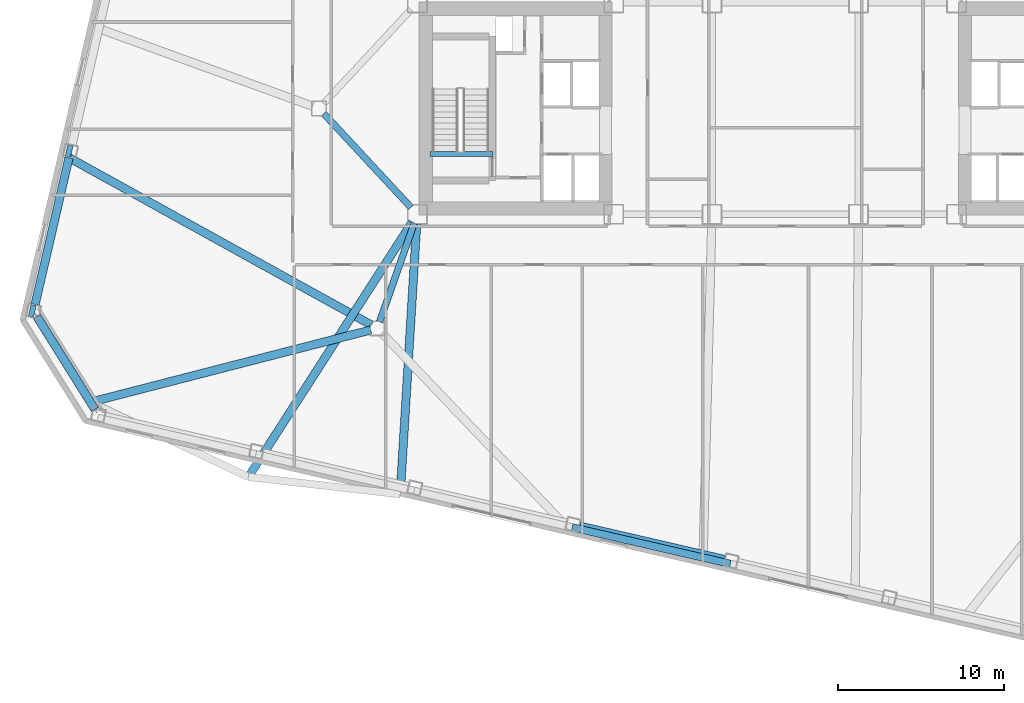
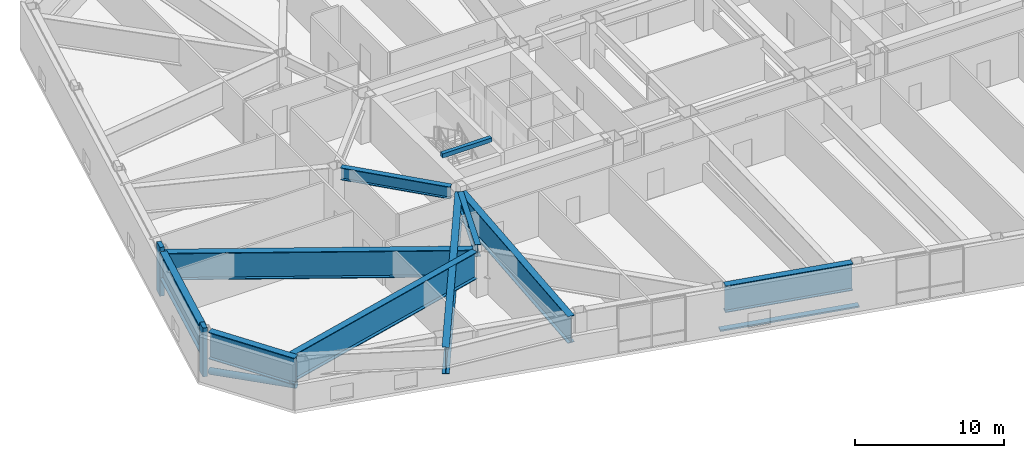
# One storey, part 3 of 19: 10 beams, 4 members.
"""IFC4 building model written with IfcOpenShell, lengths in metres."""

from ifc_helpers import new_model, si_unit, direction, frame, origin, origin_2d, place, context, subcontext, project, spatial, rectangle, hollow_circle, i_section, extrude, material, material_profile, profile_set, type_object, element, save


model = new_model("IFC4")

# Units and contexts
model_context = context("Model", 3, precision=1e-05, world=origin(), true_north=direction((0.0, 1.0)))
body_context = subcontext(model_context, "Body", "Model", "MODEL_VIEW")
ifc_project = project(units=[si_unit("LENGTHUNIT", "METRE"), si_unit("AREAUNIT", "SQUARE_METRE"), si_unit("VOLUMEUNIT", "CUBIC_METRE"), si_unit("PLANEANGLEUNIT", "RADIAN"), si_unit("MASSUNIT", "GRAM", prefix="KILO")], contexts=[model_context])

# Site, building, storey
site_placement = place(None, origin())
site = spatial("IfcSite", under=ifc_project, at=site_placement, CompositionType="ELEMENT")
building_placement = place(site_placement, origin())
building = spatial("IfcBuilding", under=site, at=building_placement, Name="Tavrogorsk Clinical Tower", CompositionType="ELEMENT")
storey_placement = place(building_placement, frame((0.0, 0.0, 79.39990234375)))
storey = spatial("IfcBuildingStorey", under=building, at=storey_placement, Name="L17", CompositionType="ELEMENT", Elevation=79.39990234375)

# Members
ifc_material_1 = material(Name="Anodised aluminium alloy AW-6063", Category="aluminium")
ifc_material_profile_1 = material_profile(ifc_material_1, rectangle(XDim=0.449951171875, YDim=0.1201171875, at=origin_2d()), Name="ALU-SUNSHADE-450x120")
ifc_profile_set_1 = profile_set([ifc_material_profile_1], Name="Anodised aluminium alloy AW-6063")
member_type_1 = type_object("IfcMemberType", Name="ChicagoSunshade_450x120", PredefinedType="USERDEFINED", material=ifc_profile_set_1)
member_1_placement = place(storey_placement, frame((-12.795654296875, -25.16015625, 0.18017578125), z_axis=(0.974366709214, -0.224965588425, 0.0), x_axis=(0.224965588425, 0.974366709214, 0.0)))
element("IfcMember", 1, at=member_1_placement, inside=storey, type_object=member_type_1, Name="L17 South Aluminium Sunshade S4", ObjectType="SUNSHADE", PredefinedType="USERDEFINED", context=body_context, shape_type="SweptSolid", body=[
    extrude(rectangle(XDim=0.449951171875, YDim=0.1201171875, at=origin_2d()), origin(), (0.0, 0.0, 1.0), 9.748779296875),
])
ifc_material_2 = material(Name="Structural steel S440", Category="steel")
ifc_material_profile_2 = material_profile(ifc_material_2, hollow_circle(Radius=0.25390625, WallThickness=0.02001953125, at=origin_2d()), Name="CHS-508x20")
ifc_profile_set_2 = profile_set([ifc_material_profile_2], Name="Structural steel S440")
member_type_2 = type_object("IfcMemberType", Name="ExoBrace_CHS508", PredefinedType="BRACE", material=ifc_profile_set_2)
member_2_placement = place(storey_placement, frame((-44.9345703125, -12.511474609375, 0.362060546875), z_axis=(0.523760647531, -0.838216058461, 0.151883585143), x_axis=(0.848054860551, 0.529908438785, 0.0)))
element("IfcMember", 2, at=member_2_placement, inside=storey, type_object=member_type_2, Name="L17 Corner Exoskeleton Brace W5-S1", PredefinedType="BRACE", context=body_context, shape_type="SweptSolid", body=[
    extrude(hollow_circle(Radius=0.25390625, WallThickness=0.02001953125, at=origin_2d()), origin(), (0.0, 0.0, 1.0), 6.624267578125),
])
ifc_material_3 = material(Name="Precast concrete B45 with limestone cladding", Category="masonry")
ifc_material_profile_3 = material_profile(ifc_material_3, rectangle(XDim=0.320068359375, YDim=0.719970703125, at=origin_2d()), Name="LIMESTONE-FIN-320x720")
ifc_profile_set_3 = profile_set([ifc_material_profile_3], Name="Precast concrete B45 with limestone cladding")
member_type_3 = type_object("IfcMemberType", Name="LimestonePleatFin_320x720", PredefinedType="USERDEFINED", material=ifc_profile_set_3)
for number, where, z_axis, x_axis, name in (
    (3, (-43.008056640625, -2.544189453125, 0.0), (0.0, 0.0, 1.0), (0.974370064785, -0.224951054344, 0.0), "L17 W Pleated Stone Fin 3"),
    (4, (-45.226318359375, -12.151611328125, 0.0), (0.0, 0.0, 1.0), (0.974370064785, -0.224951054344, 0.0), "L17 W Pleated Stone Fin 4"),
):
    element("IfcMember", number, at=place(storey_placement, frame(where, z_axis=z_axis, x_axis=x_axis)), inside=storey, type_object=member_type_3, Name=name, ObjectType="FIN", PredefinedType="USERDEFINED", context=body_context, shape_type="SweptSolid", body=[
        extrude(rectangle(XDim=0.320068359375, YDim=0.719970703125, at=origin_2d()), origin(), (0.0, 0.0, 1.0), 4.0),
    ])

# Beams
ifc_material_4 = material(Name="Concrete B60", Category="concrete")
ifc_material_profile_4 = material_profile(ifc_material_4, rectangle(XDim=0.300048828125, YDim=0.35009765625, at=origin_2d()), Name="RC-SHB-300x350")
ifc_profile_set_4 = profile_set([ifc_material_profile_4], Name="Concrete B60")
beam_type_1 = type_object("IfcBeamType", Name="StairHeaderBeam_RC300x350", PredefinedType="BEAM", material=ifc_profile_set_4)
beam_1_placement = place(storey_placement, frame((-21.35009765625, -2.719970703125, 3.8251953125), z_axis=(1.0, 0.0, 0.0), x_axis=(0.0, 1.0, 0.0)))
element("IfcBeam", 5, at=beam_1_placement, inside=storey, type_object=beam_type_1, Name="L18 ST-W Landing Header Beam", PredefinedType="BEAM", context=body_context, shape_type="SweptSolid", body=[
    extrude(rectangle(XDim=0.300048828125, YDim=0.35009765625, at=origin_2d()), origin(), (0.0, 0.0, 1.0), 3.800048828125),
])
ifc_material_5 = material(Name="Structural steel S440", Category="steel")
ifc_material_profile_5 = material_profile(ifc_material_5, i_section(OverallWidth=0.39990234375, OverallDepth=1.0, WebThickness=0.028076171875, FlangeThickness=0.044921875, at=origin_2d()), Name="DK-1000x400x28x45")
ifc_profile_set_5 = profile_set([ifc_material_profile_5], Name="Structural steel S440")
beam_type_2 = type_object("IfcBeamType", Name="TransferGirder_DK1000", PredefinedType="USERDEFINED", material=ifc_profile_set_5)
beam_2_placement = place(storey_placement, frame((-24.364501953125, -12.81298828125, 3.18017578125), z_axis=(0.330668611543, 0.943746930771, 0.0), x_axis=(-0.943746930771, 0.330668611543, 0.0)))
element("IfcBeam", 6, at=beam_2_placement, inside=storey, type_object=beam_type_2, Name="L17 Spine Link Girder OPG-1", ObjectType="GIRDER", PredefinedType="USERDEFINED", context=body_context, shape_type="SweptSolid", body=[
    extrude(i_section(OverallWidth=0.39990234375, OverallDepth=1.0, WebThickness=0.028076171875, FlangeThickness=0.044921875, at=origin_2d()), origin(), (0.0, 0.0, 1.0), 6.288330078125),
])
beam_3_placement = place(storey_placement, frame((-27.720947265625, -0.30029296875, 3.18017578125), z_axis=(0.680671250221, -0.732589004233, 0.0), x_axis=(0.732589004233, 0.680671250221, 0.0)))
element("IfcBeam", 7, at=beam_3_placement, inside=storey, type_object=beam_type_2, Name="L17 Spine Link Girder OPG-5", ObjectType="GIRDER", PredefinedType="USERDEFINED", context=body_context, shape_type="SweptSolid", body=[
    extrude(i_section(OverallWidth=0.39990234375, OverallDepth=1.0, WebThickness=0.028076171875, FlangeThickness=0.044921875, at=origin_2d()), origin(), (0.0, 0.0, 1.0), 7.697998046875),
])
ifc_material_6 = material(Name="Structural steel S440", Category="steel")
ifc_material_profile_6 = material_profile(ifc_material_6, i_section(OverallWidth=0.5, OverallDepth=2.199951171875, WebThickness=0.035888671875, FlangeThickness=0.054931640625, at=origin_2d()), Name="DK-2200x500x36x55")
ifc_profile_set_6 = profile_set([ifc_material_profile_6], Name="Structural steel S440")
beam_type_3 = type_object("IfcBeamType", Name="TransferGirder_DK2200", PredefinedType="USERDEFINED", material=ifc_profile_set_6)
beam_4_placement = place(storey_placement, frame((-12.357666015625, -25.07666015625, 2.580078125), z_axis=(0.974372766602, -0.224939351168, 0.0), x_axis=(0.224939351168, 0.974372766602, 0.0)))
element("IfcBeam", 8, at=beam_4_placement, inside=storey, type_object=beam_type_3, Name="L17 Perimeter Spandrel S4-S5", ObjectType="GIRDER", PredefinedType="USERDEFINED", context=body_context, shape_type="SweptSolid", body=[
    extrude(i_section(OverallWidth=0.5, OverallDepth=2.199951171875, WebThickness=0.035888671875, FlangeThickness=0.054931640625, at=origin_2d()), origin(), (0.0, 0.0, 1.0), 8.9326171875),
])
beam_5_placement = place(storey_placement, frame((-43.02197265625, -2.959716796875, 2.580078125), z_axis=(-0.224971881043, -0.974365256328, 0.0), x_axis=(0.974365256328, -0.224971881043, 0.0)))
element("IfcBeam", 9, at=beam_5_placement, inside=storey, type_object=beam_type_3, Name="L17 Perimeter Spandrel W4-W5", ObjectType="GIRDER", PredefinedType="USERDEFINED", context=body_context, shape_type="SweptSolid", body=[
    extrude(i_section(OverallWidth=0.5, OverallDepth=2.199951171875, WebThickness=0.035888671875, FlangeThickness=0.054931640625, at=origin_2d()), origin(), (0.0, 0.0, 1.0), 9.044189453125),
])
beam_6_placement = place(storey_placement, frame((-44.93212890625, -12.515380859375, 2.580078125), z_axis=(0.529908311255, -0.848054940238, 0.0), x_axis=(0.848054940238, 0.529908311255, 0.0)))
element("IfcBeam", 10, at=beam_6_placement, inside=storey, type_object=beam_type_3, Name="L17 Perimeter Spandrel W5-S1", ObjectType="GIRDER", PredefinedType="USERDEFINED", context=body_context, shape_type="SweptSolid", body=[
    extrude(i_section(OverallWidth=0.5, OverallDepth=2.199951171875, WebThickness=0.035888671875, FlangeThickness=0.054931640625, at=origin_2d()), origin(), (0.0, 0.0, 1.0), 6.5380859375),
])
beam_7_placement = place(storey_placement, frame((-22.40283203125, -6.821044921875, 2.580078125), z_axis=(-0.540769118017, -0.841171065241, 0.0), x_axis=(0.841171065241, -0.540769118017, 0.0)))
element("IfcBeam", 11, at=beam_7_placement, inside=storey, type_object=beam_type_3, Name="L18 Block Transfer Girder S1", ObjectType="GIRDER", PredefinedType="USERDEFINED", context=body_context, shape_type="SweptSolid", body=[
    extrude(i_section(OverallWidth=0.5, OverallDepth=2.199951171875, WebThickness=0.035888671875, FlangeThickness=0.054931640625, at=origin_2d()), origin(), (0.0, 0.0, 1.0), 18.1982421875),
])
beam_8_placement = place(storey_placement, frame((-22.134033203125, -6.908935546875, 2.580078125), z_axis=(-0.060896441762, -0.998144089488, 0.0), x_axis=(0.998144089488, -0.060896441762, 0.0)))
element("IfcBeam", 12, at=beam_8_placement, inside=storey, type_object=beam_type_3, Name="L18 Block Transfer Girder S2", ObjectType="GIRDER", PredefinedType="USERDEFINED", context=body_context, shape_type="SweptSolid", body=[
    extrude(i_section(OverallWidth=0.5, OverallDepth=2.199951171875, WebThickness=0.035888671875, FlangeThickness=0.054931640625, at=origin_2d()), origin(), (0.0, 0.0, 1.0), 16.2890625),
])
beam_9_placement = place(storey_placement, frame((-24.858642578125, -13.00146484375, 2.580078125), z_axis=(-0.874983792881, 0.48415220974, 0.0), x_axis=(-0.48415220974, -0.874983792881, 0.0)))
element("IfcBeam", 13, at=beam_9_placement, inside=storey, type_object=beam_type_3, Name="L18 Block Transfer Girder W4", ObjectType="GIRDER", PredefinedType="USERDEFINED", context=body_context, shape_type="SweptSolid", body=[
    extrude(i_section(OverallWidth=0.5, OverallDepth=2.199951171875, WebThickness=0.035888671875, FlangeThickness=0.054931640625, at=origin_2d()), origin(), (0.0, 0.0, 1.0), 20.756591796875),
])
beam_10_placement = place(storey_placement, frame((-24.89697265625, -13.30224609375, 2.580078125), z_axis=(-0.968397239464, -0.249412883785, 0.0), x_axis=(0.249412883785, -0.968397239464, 0.0)))
element("IfcBeam", 14, at=beam_10_placement, inside=storey, type_object=beam_type_3, Name="L18 Block Transfer Girder W5", ObjectType="GIRDER", PredefinedType="USERDEFINED", context=body_context, shape_type="SweptSolid", body=[
    extrude(i_section(OverallWidth=0.5, OverallDepth=2.199951171875, WebThickness=0.035888671875, FlangeThickness=0.054931640625, at=origin_2d()), origin(), (0.0, 0.0, 1.0), 17.383544921875),
])

save(model, "model.ifc")
